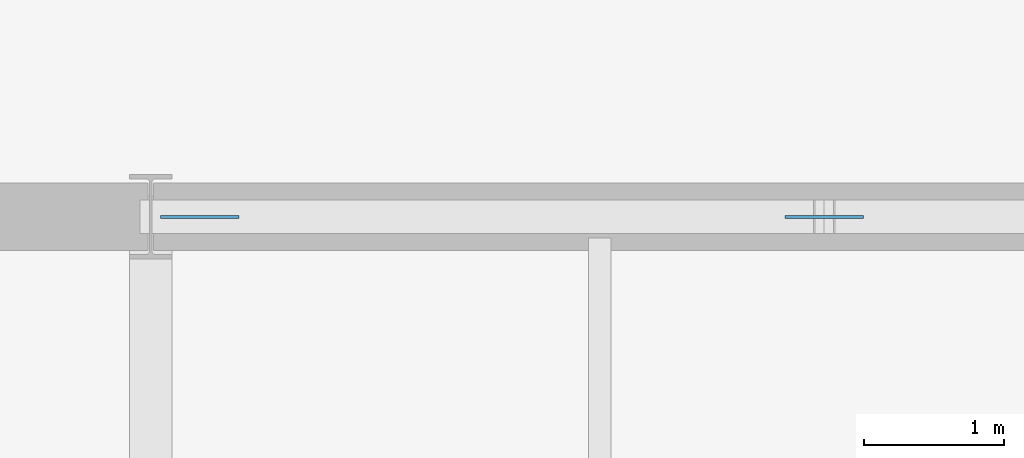
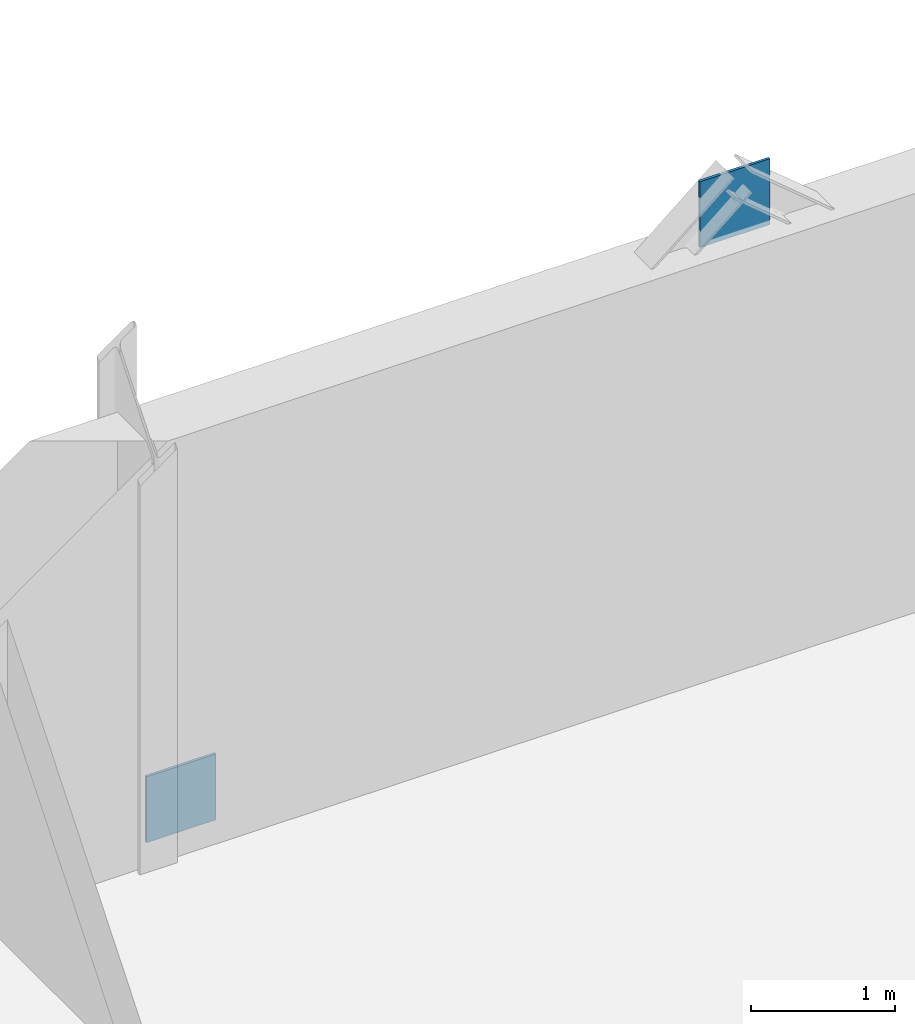
# One storey, part 55 of 78: 2 plates.
"""IFC4 building model written with IfcOpenShell, lengths in metres."""

from ifc_helpers import new_model, si_unit, direction, frame, origin, origin_2d, place, context, subcontext, project, spatial, rectangle, extrude, material, layer, layer_set, type_object, element, save


model = new_model("IFC4")

# Units and contexts
model_context = context("Model", 3, precision=1e-05, world=origin(), true_north=direction((0.0, 1.0)))
body_context = subcontext(model_context, "Body", "Model", "MODEL_VIEW")
ifc_project = project(units=[si_unit("LENGTHUNIT", "METRE"), si_unit("AREAUNIT", "SQUARE_METRE"), si_unit("VOLUMEUNIT", "CUBIC_METRE"), si_unit("PLANEANGLEUNIT", "RADIAN"), si_unit("MASSUNIT", "GRAM", prefix="KILO")], contexts=[model_context])

# Site, building, storey
site_placement = place(None, origin())
site = spatial("IfcSite", under=ifc_project, at=site_placement, CompositionType="ELEMENT")
building_placement = place(site_placement, origin())
building = spatial("IfcBuilding", under=site, at=building_placement, Name="Alderhovde Museum", CompositionType="ELEMENT")
storey_placement = place(building_placement, origin())
storey = spatial("IfcBuildingStorey", under=building, at=storey_placement, Name="L00", CompositionType="ELEMENT", Elevation=0.0)

# Plates
ifc_material = material(Name="Steel S355J2", Category="steel")
ifc_layer = layer(ifc_material, 0.02197265625)
ifc_layer_set = layer_set([ifc_layer], Name="Steel S355J2")
plate_type = type_object("IfcPlateType", Name="PLT-GUSSET-22", PredefinedType="USERDEFINED", material=ifc_layer_set)
for number, where, z_axis, x_axis, name in (
    (1, (125.14990234375, 96.0, 0.02001953125), (0.0, 0.0, 1.0), (1.0, 0.0, 0.0), "L00 Brace End Gusset Plate BR-V5-N-BL"),
    (2, (129.60009765625, 96.0, 3.52001953125), (0.0, 0.0, 1.0), (1.0, 0.0, 0.0), "L00 Brace End Gusset Plate BR-V5-N-APX"),
):
    element("IfcPlate", number, at=place(storey_placement, frame(where, z_axis=z_axis, x_axis=x_axis)), inside=storey, type_object=plate_type, Name=name, ObjectType="GUSSET PLATE", PredefinedType="USERDEFINED", context=body_context, shape_type="SweptSolid", body=[
        extrude(rectangle(XDim=0.56005859375, YDim=0.02197265625, at=origin_2d()), origin(), (0.0, 0.0, 1.0), 0.56005859375),
    ])

save(model, "model.ifc")
